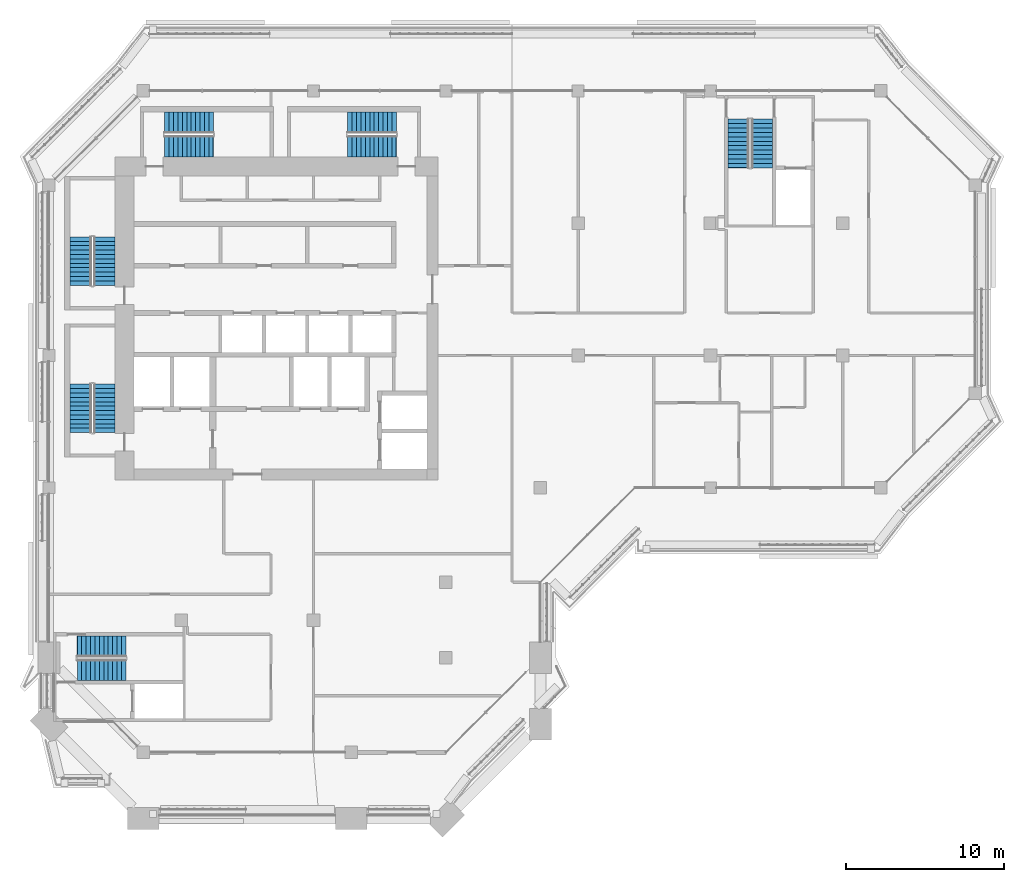
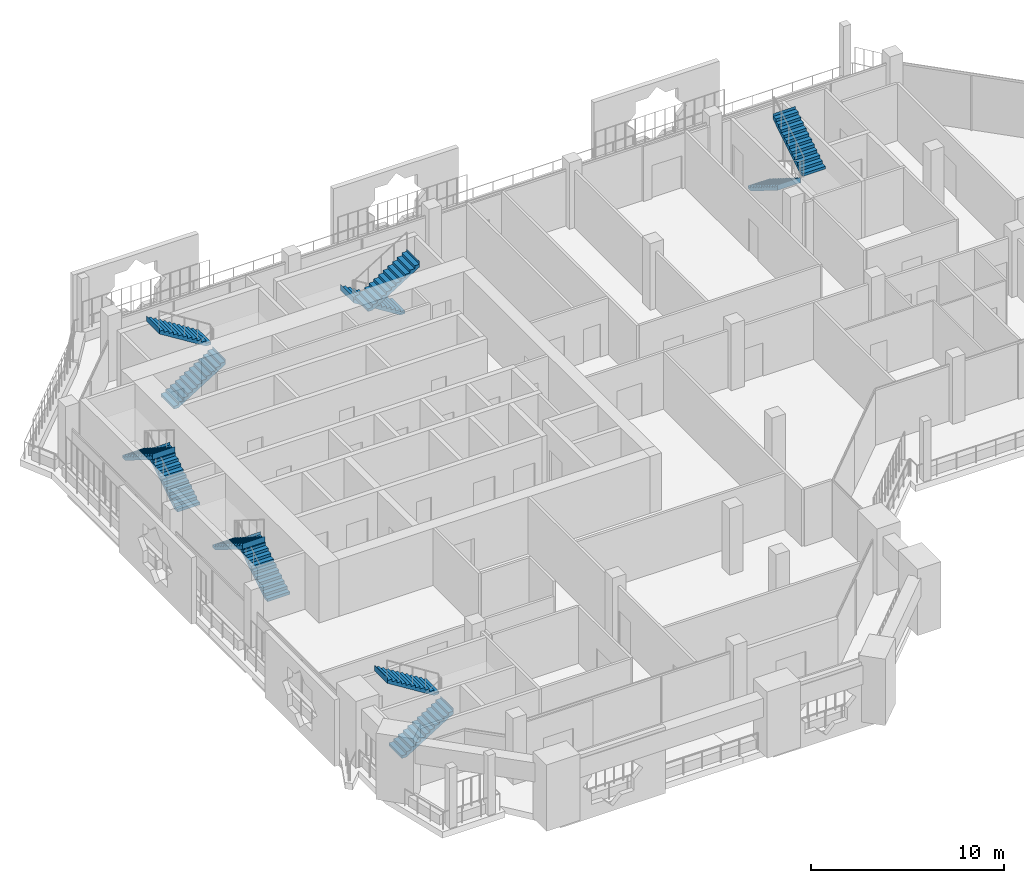
# One storey, part 14 of 22: 12 stair flights, 6 elements without a shape of their own.
"""IFC4 building model written with IfcOpenShell, lengths in metres."""

import ifcopenshell
import ifcopenshell.guid

model = None  # the IFC model being written
_history = None  # IfcOwnerHistory: only IFC2X3 demands one
_inside = {}  # id of a spatial element -> (the spatial element, [elements in it])
_under = {}  # id of a project, library or spatial element -> (it, [spatial elements below it])
_declared = {}  # id of a project -> (the project, [libraries it declares])
_typed = {}  # id of a type object -> (the type object, [elements of that type])
_made_of = {}  # id of a material, layer set ... -> (it, [elements and type objects made of it])


def new_model(schema):
    """Start an empty IFC model of exactly this schema.

    Asked for "IFC4X3", IfcOpenShell would pick the latest addendum, in which some entities
    have other attributes; the version numbers below select the first issue.
    IFC2X3 requires an IfcOwnerHistory on every rooted entity: one is made here for all.
    """
    global model, _history
    if schema == "IFC4X3":
        model = ifcopenshell.file(schema_version=(4, 3, 0, 0))
    else:
        model = ifcopenshell.file(schema=schema)
    _inside.clear()
    _under.clear()
    _declared.clear()
    _typed.clear()
    _made_of.clear()
    _history = None
    if model.schema == "IFC2X3":
        org = make("IfcOrganization", Name="unknown")
        user = make(
            "IfcPersonAndOrganization",
            ThePerson=make("IfcPerson", FamilyName="unknown"),
            TheOrganization=org,
        )
        app = make(
            "IfcApplication",
            ApplicationDeveloper=org,
            Version="unknown",
            ApplicationFullName="unknown",
            ApplicationIdentifier="unknown",
        )
        _history = make(
            "IfcOwnerHistory",
            OwningUser=user,
            OwningApplication=app,
            ChangeAction="ADDED",
            CreationDate=0,
        )
    return model


def make(cls, **values):
    """One entity of the class cls with the attributes given. An attribute that is None is left unset."""
    return model.create_entity(
        cls, **{name: value for name, value in values.items() if value is not None}
    )


def rooted(cls, **values):
    """An entity with a GlobalId (a new one), such as an element, a storey or a relation."""
    return make(cls, GlobalId=ifcopenshell.guid.new(), OwnerHistory=_history, **values)


def si_unit(unit_type, name, prefix=None):
    """IfcSIUnit, for example si_unit("LENGTHUNIT", "METRE", prefix="MILLI")."""
    return make("IfcSIUnit", UnitType=unit_type, Prefix=prefix, Name=name)


def assignment(units):
    """IfcUnitAssignment: the units of a project."""
    return None if units is None else make("IfcUnitAssignment", Units=units)


def point(xyz):
    """IfcCartesianPoint."""
    return None if xyz is None else make("IfcCartesianPoint", Coordinates=xyz)


def direction(xyz):
    """IfcDirection."""
    return None if xyz is None else make("IfcDirection", DirectionRatios=xyz)


def frame(location, z_axis=None, x_axis=None):
    """IfcAxis2Placement3D, a coordinate frame: its origin and axes. An axis left out is left unset."""
    return make(
        "IfcAxis2Placement3D",
        Location=point(location),
        Axis=direction(z_axis),
        RefDirection=direction(x_axis),
    )


def origin():
    """The frame at (0, 0, 0) with its axes left unset."""
    return frame((0.0, 0.0, 0.0))


def place(relative_to, where):
    """IfcLocalPlacement: puts the frame where relative to a parent placement (None: the world)."""
    return make(
        "IfcLocalPlacement", PlacementRelTo=relative_to, RelativePlacement=where
    )


def context(
    kind, dimensions, precision=None, world=None, true_north=None, identifier=None
):
    """IfcGeometricRepresentationContext, for example the 3D "Model" context."""
    return make(
        "IfcGeometricRepresentationContext",
        ContextIdentifier=identifier,
        ContextType=kind,
        CoordinateSpaceDimension=dimensions,
        Precision=precision,
        WorldCoordinateSystem=world,
        TrueNorth=true_north,
    )


def subcontext(parent, identifier, kind, view, scale=None):
    """IfcGeometricRepresentationSubContext, for example "Body" below "Model"."""
    return make(
        "IfcGeometricRepresentationSubContext",
        ContextIdentifier=identifier,
        ContextType=kind,
        ParentContext=parent,
        TargetScale=scale,
        TargetView=view,
    )


def project(units=None, contexts=None):
    """IfcProject with its units and contexts."""
    return rooted(
        "IfcProject",
        Name="project",
        RepresentationContexts=contexts,
        UnitsInContext=assignment(units),
    )


def spatial(cls, under=None, at=None, **own):
    """A site, building, storey or space (cls), placed at a placement, below another one or the project."""
    s = rooted(cls, ObjectPlacement=at, **own)
    if under is not None:
        _under.setdefault(under.id(), (under, []))[1].append(s)
    return s


def polyline(points):
    """IfcPolyline through the points."""
    return make("IfcPolyline", Points=[point(p) for p in points])


def outline(outer, holes=None, kind="AREA"):
    """IfcArbitraryClosedProfileDef: a profile drawn as a closed curve; with holes, ...WithVoids."""
    if holes is None:
        return make("IfcArbitraryClosedProfileDef", ProfileType=kind, OuterCurve=outer)
    return make(
        "IfcArbitraryProfileDefWithVoids",
        ProfileType=kind,
        OuterCurve=outer,
        InnerCurves=holes,
    )


def extrude(swept, where, along, depth):
    """IfcExtrudedAreaSolid: the profile swept, set in the frame where, extruded along a direction by depth."""
    return make(
        "IfcExtrudedAreaSolid",
        SweptArea=swept,
        Position=where,
        ExtrudedDirection=direction(along),
        Depth=depth,
    )


def shape(context_of_items, identifier, shape_type, items):
    """IfcShapeRepresentation: the items that make up one representation, for example the "Body"."""
    return make(
        "IfcShapeRepresentation",
        ContextOfItems=context_of_items,
        RepresentationIdentifier=identifier,
        RepresentationType=shape_type,
        Items=items,
    )


def material(Name=None, Category=None):
    """IfcMaterial."""
    return make("IfcMaterial", Name=Name, Category=Category)


def made_of(thing, what):
    """Note that an element or type object is made of a material, layer set ...; save() writes the relation."""
    if what is not None:
        _made_of.setdefault(what.id(), (what, []))[1].append(thing)
    return thing


def type_object(cls, material=None, **own):
    """A type object (cls), such as IfcWallType, which elements share."""
    return made_of(rooted(cls, **own), material)


def element(
    cls,
    number,
    at=None,
    inside=None,
    cuts=None,
    type_object=None,
    material=None,
    context=None,
    identifier="Body",
    shape_type=None,
    held_by="IfcProductDefinitionShape",
    body=None,
    shapes=None,
    **own,
):
    """One element of the class cls, such as IfcWall. Its Tag is "e" and its number.

    at: its placement. inside: the storey or other place that contains it. cuts: it is an
    opening in that element (IfcRelVoidsElement). A single representation is given by context,
    identifier, shape_type and body (its items); several are given by shapes. held_by: the class
    of the entity that holds the representations. save() writes the other relations.
    """
    e = rooted(cls, Tag="e%d" % number, ObjectPlacement=at, **own)
    if body is not None:
        shapes = [shape(context, identifier, shape_type, body)]
    if shapes is not None:
        e.Representation = make(held_by, Representations=shapes)
    if inside is not None:
        _inside.setdefault(inside.id(), (inside, []))[1].append(e)
    if cuts is not None:
        rooted(
            "IfcRelVoidsElement", RelatingBuildingElement=cuts, RelatedOpeningElement=e
        )
    if type_object is not None:
        _typed.setdefault(type_object.id(), (type_object, []))[1].append(e)
    return made_of(e, material)


def aggregate(whole, parts):
    """IfcRelAggregates: a whole, such as a stair, and the parts it consists of."""
    return rooted("IfcRelAggregates", RelatingObject=whole, RelatedObjects=parts)


def save(model, path):
    """Write the relations noted so far, then the file.

    IfcRelAggregates (storeys below a building ...), IfcRelContainedInSpatialStructure (elements
    in a storey), IfcRelDefinesByType, IfcRelAssociatesMaterial and IfcRelDeclares: one each for
    every whole, place, type object, material and project.
    """
    for whole, parts in _under.values():
        aggregate(whole, parts)
    for where, things in _inside.values():
        rooted(
            "IfcRelContainedInSpatialStructure",
            RelatedElements=things,
            RelatingStructure=where,
        )
    for kind, things in _typed.values():
        rooted("IfcRelDefinesByType", RelatedObjects=things, RelatingType=kind)
    for what, things in _made_of.values():
        rooted("IfcRelAssociatesMaterial", RelatedObjects=things, RelatingMaterial=what)
    for by, libraries in _declared.values():
        rooted("IfcRelDeclares", RelatingContext=by, RelatedDefinitions=libraries)
    model.write(path)


model = new_model("IFC4")

# Units and contexts
model_context = context("Model", 3, precision=1e-05, world=origin(), true_north=direction((0.0, 1.0)))
body_context = subcontext(model_context, "Body", "Model", "MODEL_VIEW")
ifc_project = project(units=[si_unit("LENGTHUNIT", "METRE"), si_unit("AREAUNIT", "SQUARE_METRE"), si_unit("VOLUMEUNIT", "CUBIC_METRE"), si_unit("PLANEANGLEUNIT", "RADIAN"), si_unit("MASSUNIT", "GRAM", prefix="KILO")], contexts=[model_context])

# Site, building, storey
site_placement = place(None, origin())
site = spatial("IfcSite", under=ifc_project, at=site_placement, CompositionType="ELEMENT")
building_placement = place(site_placement, origin())
building = spatial("IfcBuilding", under=site, at=building_placement, Name="Kawkab Arch Medical Tower", CompositionType="ELEMENT")
storey_placement = place(building_placement, frame((0.0, 0.0, 294.39990234375)))
storey = spatial("IfcBuildingStorey", under=building, at=storey_placement, Name="L68", CompositionType="ELEMENT", Elevation=294.39990234375)

# Stair, stair flights
ifc_material_1 = material(Name="Concrete C40/50", Category="concrete")
stair_type = type_object("IfcStairType", Name="Exit stair 1350", PredefinedType="HALF_TURN_STAIR", material=ifc_material_1)
placement = place(storey_placement, origin())
stair_1 = element("IfcStair", 1, at=placement, inside=storey, type_object=stair_type, Name="L68 Exit stair ST1", PredefinedType="HALF_TURN_STAIR")
ifc_material_2 = material(Name="Concrete C40/50", Category="concrete")
stair_flight_type = type_object("IfcStairFlightType", Name="Exit stair flight 1350", PredefinedType="STRAIGHT", material=ifc_material_2)
stair_flight_1_placement = place(storey_placement, frame((3.52490234375, -12.35009765625, 0.0), z_axis=(0.0, 0.0, 1.0), x_axis=(0.0, 1.0, 0.0)))
stair_flight_1 = element("IfcStairFlight", 2, at=stair_flight_1_placement, type_object=stair_flight_type, Name="ST1 flight 1", NumberOfRisers=12, NumberOfTreads=11, PredefinedType="STRAIGHT", RiserHeight=0.175, TreadLength=0.28, context=body_context, shape_type="SweptSolid", body=[
    extrude(outline(polyline([(-0.0029296875, 0.0), (-0.0029296875, 0.175048828125), (0.0, 0.175048828125), (0.280029296875, 0.175048828125), (0.280029296875, 0.35009765625), (0.56005859375, 0.35009765625), (0.56005859375, 0.52490234375), (0.840087890625, 0.52490234375), (0.840087890625, 0.699951171875), (1.1201171875, 0.699951171875), (1.1201171875, 0.875), (1.39990234375, 0.875), (1.39990234375, 1.050048828125), (1.679931640625, 1.050048828125), (1.679931640625, 1.22509765625), (1.9599609375, 1.22509765625), (1.9599609375, 1.39990234375), (2.239990234375, 1.39990234375), (2.239990234375, 1.574951171875), (2.52001953125, 1.574951171875), (2.52001953125, 1.75), (2.800048828125, 1.75), (2.800048828125, 1.925048828125), (3.080078125, 1.925048828125), (3.080078125, 2.10009765625), (3.0830078125, 2.10009765625), (3.0830078125, 1.748291015625), (3.080078125, 1.748291015625), (0.28271484375, 0.0), (-0.0029296875, 0.0)])), frame((0.0, 0.675048828125, 0.0), z_axis=(0.0, -1.0, 0.0), x_axis=(1.0, 0.0, 0.0)), (0.0, 0.0, 1.0), 1.35009765625),
])
stair_flight_2_placement = place(storey_placement, frame((2.02490234375, -9.27001953125, 2.10009765625), z_axis=(0.0, 0.0, 1.0), x_axis=(0.0, -1.0, 0.0)))
stair_flight_2 = element("IfcStairFlight", 3, at=stair_flight_2_placement, type_object=stair_flight_type, Name="ST1 flight 2", NumberOfRisers=12, NumberOfTreads=11, PredefinedType="STRAIGHT", RiserHeight=0.175, TreadLength=0.28, context=body_context, shape_type="SweptSolid", body=[
    extrude(outline(polyline([(-0.0029296875, 0.0), (-0.0029296875, 0.175048828125), (0.0, 0.175048828125), (0.280029296875, 0.175048828125), (0.280029296875, 0.35009765625), (0.56005859375, 0.35009765625), (0.56005859375, 0.52490234375), (0.840087890625, 0.52490234375), (0.840087890625, 0.699951171875), (1.1201171875, 0.699951171875), (1.1201171875, 0.875), (1.39990234375, 0.875), (1.39990234375, 1.050048828125), (1.679931640625, 1.050048828125), (1.679931640625, 1.22509765625), (1.9599609375, 1.22509765625), (1.9599609375, 1.39990234375), (2.239990234375, 1.39990234375), (2.239990234375, 1.574951171875), (2.52001953125, 1.574951171875), (2.52001953125, 1.75), (2.800048828125, 1.75), (2.800048828125, 1.925048828125), (3.080078125, 1.925048828125), (3.080078125, 2.10009765625), (3.0830078125, 2.10009765625), (3.0830078125, 1.748291015625), (3.080078125, 1.748291015625), (0.28271484375, 0.0), (-0.0029296875, 0.0)])), frame((0.0, 0.675048828125, 0.0), z_axis=(0.0, -1.0, 0.0), x_axis=(1.0, 0.0, 0.0)), (0.0, 0.0, 1.0), 1.35009765625),
])
aggregate(stair_1, [stair_flight_1, stair_flight_2])

stair_2 = element("IfcStair", 4, at=placement, inside=storey, type_object=stair_type, Name="L68 Exit stair ST2", PredefinedType="HALF_TURN_STAIR")
stair_flight_3_placement = place(storey_placement, frame((3.52490234375, -21.699951171875, 0.0), z_axis=(0.0, 0.0, 1.0), x_axis=(0.0, 1.0, 0.0)))
stair_flight_3 = element("IfcStairFlight", 5, at=stair_flight_3_placement, type_object=stair_flight_type, Name="ST2 flight 1", NumberOfRisers=12, NumberOfTreads=11, PredefinedType="STRAIGHT", RiserHeight=0.175, TreadLength=0.28, context=body_context, shape_type="SweptSolid", body=[
    extrude(outline(polyline([(-0.0029296875, 0.0), (-0.0029296875, 0.175048828125), (0.0, 0.175048828125), (0.280029296875, 0.175048828125), (0.280029296875, 0.35009765625), (0.56005859375, 0.35009765625), (0.56005859375, 0.52490234375), (0.840087890625, 0.52490234375), (0.840087890625, 0.699951171875), (1.1201171875, 0.699951171875), (1.1201171875, 0.875), (1.39990234375, 0.875), (1.39990234375, 1.050048828125), (1.679931640625, 1.050048828125), (1.679931640625, 1.22509765625), (1.9599609375, 1.22509765625), (1.9599609375, 1.39990234375), (2.239990234375, 1.39990234375), (2.239990234375, 1.574951171875), (2.52001953125, 1.574951171875), (2.52001953125, 1.75), (2.800048828125, 1.75), (2.800048828125, 1.925048828125), (3.080078125, 1.925048828125), (3.080078125, 2.10009765625), (3.0830078125, 2.10009765625), (3.0830078125, 1.748291015625), (3.080078125, 1.748291015625), (0.28271484375, 0.0), (-0.0029296875, 0.0)])), frame((0.0, 0.675048828125, 0.0), z_axis=(0.0, -1.0, 0.0), x_axis=(1.0, 0.0, 0.0)), (0.0, 0.0, 1.0), 1.35009765625),
])
stair_flight_4_placement = place(storey_placement, frame((2.02490234375, -18.6201171875, 2.10009765625), z_axis=(0.0, 0.0, 1.0), x_axis=(0.0, -1.0, 0.0)))
stair_flight_4 = element("IfcStairFlight", 6, at=stair_flight_4_placement, type_object=stair_flight_type, Name="ST2 flight 2", NumberOfRisers=12, NumberOfTreads=11, PredefinedType="STRAIGHT", RiserHeight=0.175, TreadLength=0.28, context=body_context, shape_type="SweptSolid", body=[
    extrude(outline(polyline([(-0.0029296875, 0.0), (-0.0029296875, 0.175048828125), (0.0, 0.175048828125), (0.280029296875, 0.175048828125), (0.280029296875, 0.35009765625), (0.56005859375, 0.35009765625), (0.56005859375, 0.52490234375), (0.840087890625, 0.52490234375), (0.840087890625, 0.699951171875), (1.1201171875, 0.699951171875), (1.1201171875, 0.875), (1.39990234375, 0.875), (1.39990234375, 1.050048828125), (1.679931640625, 1.050048828125), (1.679931640625, 1.22509765625), (1.9599609375, 1.22509765625), (1.9599609375, 1.39990234375), (2.239990234375, 1.39990234375), (2.239990234375, 1.574951171875), (2.52001953125, 1.574951171875), (2.52001953125, 1.75), (2.800048828125, 1.75), (2.800048828125, 1.925048828125), (3.080078125, 1.925048828125), (3.080078125, 2.10009765625), (3.0830078125, 2.10009765625), (3.0830078125, 1.748291015625), (3.080078125, 1.748291015625), (0.28271484375, 0.0), (-0.0029296875, 0.0)])), frame((0.0, 0.675048828125, 0.0), z_axis=(0.0, -1.0, 0.0), x_axis=(1.0, 0.0, 0.0)), (0.0, 0.0, 1.0), 1.35009765625),
])
aggregate(stair_2, [stair_flight_3, stair_flight_4])

stair_3 = element("IfcStair", 7, at=placement, inside=storey, type_object=stair_type, Name="L68 Exit stair ST3", PredefinedType="HALF_TURN_STAIR")
stair_flight_5_placement = place(storey_placement, frame((7.35009765625, -3.52490234375, 0.0), z_axis=(0.0, 0.0, 1.0), x_axis=(1.0, 0.0, 0.0)))
stair_flight_5 = element("IfcStairFlight", 8, at=stair_flight_5_placement, type_object=stair_flight_type, Name="ST3 flight 1", NumberOfRisers=12, NumberOfTreads=11, PredefinedType="STRAIGHT", RiserHeight=0.175, TreadLength=0.28, context=body_context, shape_type="SweptSolid", body=[
    extrude(outline(polyline([(-0.0029296875, 0.0), (-0.0029296875, 0.175048828125), (0.0, 0.175048828125), (0.280029296875, 0.175048828125), (0.280029296875, 0.35009765625), (0.56005859375, 0.35009765625), (0.56005859375, 0.52490234375), (0.840087890625, 0.52490234375), (0.840087890625, 0.699951171875), (1.1201171875, 0.699951171875), (1.1201171875, 0.875), (1.39990234375, 0.875), (1.39990234375, 1.050048828125), (1.679931640625, 1.050048828125), (1.679931640625, 1.22509765625), (1.9599609375, 1.22509765625), (1.9599609375, 1.39990234375), (2.239990234375, 1.39990234375), (2.239990234375, 1.574951171875), (2.52001953125, 1.574951171875), (2.52001953125, 1.75), (2.800048828125, 1.75), (2.800048828125, 1.925048828125), (3.080078125, 1.925048828125), (3.080078125, 2.10009765625), (3.0830078125, 2.10009765625), (3.0830078125, 1.748291015625), (3.080078125, 1.748291015625), (0.28271484375, 0.0), (-0.0029296875, 0.0)])), frame((0.0, 0.675048828125, 0.0), z_axis=(0.0, -1.0, 0.0), x_axis=(1.0, 0.0, 0.0)), (0.0, 0.0, 1.0), 1.35009765625),
])
stair_flight_6_placement = place(storey_placement, frame((10.429931640625, -2.02490234375, 2.10009765625), z_axis=(0.0, 0.0, 1.0), x_axis=(-1.0, 0.0, 0.0)))
stair_flight_6 = element("IfcStairFlight", 9, at=stair_flight_6_placement, type_object=stair_flight_type, Name="ST3 flight 2", NumberOfRisers=12, NumberOfTreads=11, PredefinedType="STRAIGHT", RiserHeight=0.175, TreadLength=0.28, context=body_context, shape_type="SweptSolid", body=[
    extrude(outline(polyline([(-0.0029296875, 0.0), (-0.0029296875, 0.175048828125), (0.0, 0.175048828125), (0.280029296875, 0.175048828125), (0.280029296875, 0.35009765625), (0.56005859375, 0.35009765625), (0.56005859375, 0.52490234375), (0.840087890625, 0.52490234375), (0.840087890625, 0.699951171875), (1.1201171875, 0.699951171875), (1.1201171875, 0.875), (1.39990234375, 0.875), (1.39990234375, 1.050048828125), (1.679931640625, 1.050048828125), (1.679931640625, 1.22509765625), (1.9599609375, 1.22509765625), (1.9599609375, 1.39990234375), (2.239990234375, 1.39990234375), (2.239990234375, 1.574951171875), (2.52001953125, 1.574951171875), (2.52001953125, 1.75), (2.800048828125, 1.75), (2.800048828125, 1.925048828125), (3.080078125, 1.925048828125), (3.080078125, 2.10009765625), (3.0830078125, 2.10009765625), (3.0830078125, 1.748291015625), (3.080078125, 1.748291015625), (0.28271484375, 0.0), (-0.0029296875, 0.0)])), frame((0.0, 0.675048828125, 0.0), z_axis=(0.0, -1.0, 0.0), x_axis=(1.0, 0.0, 0.0)), (0.0, 0.0, 1.0), 1.35009765625),
])
aggregate(stair_3, [stair_flight_5, stair_flight_6])

stair_4 = element("IfcStair", 10, at=placement, inside=storey, type_object=stair_type, Name="L68 Exit stair ST4", PredefinedType="HALF_TURN_STAIR")
stair_flight_7_placement = place(storey_placement, frame((22.050048828125, -2.02490234375, 0.0), z_axis=(0.0, 0.0, 1.0), x_axis=(-1.0, 0.0, 0.0)))
stair_flight_7 = element("IfcStairFlight", 11, at=stair_flight_7_placement, type_object=stair_flight_type, Name="ST4 flight 1", NumberOfRisers=12, NumberOfTreads=11, PredefinedType="STRAIGHT", RiserHeight=0.175, TreadLength=0.28, context=body_context, shape_type="SweptSolid", body=[
    extrude(outline(polyline([(-0.0029296875, 0.0), (-0.0029296875, 0.175048828125), (0.0, 0.175048828125), (0.280029296875, 0.175048828125), (0.280029296875, 0.35009765625), (0.56005859375, 0.35009765625), (0.56005859375, 0.52490234375), (0.840087890625, 0.52490234375), (0.840087890625, 0.699951171875), (1.1201171875, 0.699951171875), (1.1201171875, 0.875), (1.39990234375, 0.875), (1.39990234375, 1.050048828125), (1.679931640625, 1.050048828125), (1.679931640625, 1.22509765625), (1.9599609375, 1.22509765625), (1.9599609375, 1.39990234375), (2.239990234375, 1.39990234375), (2.239990234375, 1.574951171875), (2.52001953125, 1.574951171875), (2.52001953125, 1.75), (2.800048828125, 1.75), (2.800048828125, 1.925048828125), (3.080078125, 1.925048828125), (3.080078125, 2.10009765625), (3.0830078125, 2.10009765625), (3.0830078125, 1.748291015625), (3.080078125, 1.748291015625), (0.28271484375, 0.0), (-0.0029296875, 0.0)])), frame((0.0, 0.675048828125, 0.0), z_axis=(0.0, -1.0, 0.0), x_axis=(1.0, 0.0, 0.0)), (0.0, 0.0, 1.0), 1.35009765625),
])
stair_flight_8_placement = place(storey_placement, frame((18.969970703125, -3.52490234375, 2.10009765625), z_axis=(0.0, 0.0, 1.0), x_axis=(1.0, 0.0, 0.0)))
stair_flight_8 = element("IfcStairFlight", 12, at=stair_flight_8_placement, type_object=stair_flight_type, Name="ST4 flight 2", NumberOfRisers=12, NumberOfTreads=11, PredefinedType="STRAIGHT", RiserHeight=0.175, TreadLength=0.28, context=body_context, shape_type="SweptSolid", body=[
    extrude(outline(polyline([(-0.0029296875, 0.0), (-0.0029296875, 0.175048828125), (0.0, 0.175048828125), (0.280029296875, 0.175048828125), (0.280029296875, 0.35009765625), (0.56005859375, 0.35009765625), (0.56005859375, 0.52490234375), (0.840087890625, 0.52490234375), (0.840087890625, 0.699951171875), (1.1201171875, 0.699951171875), (1.1201171875, 0.875), (1.39990234375, 0.875), (1.39990234375, 1.050048828125), (1.679931640625, 1.050048828125), (1.679931640625, 1.22509765625), (1.9599609375, 1.22509765625), (1.9599609375, 1.39990234375), (2.239990234375, 1.39990234375), (2.239990234375, 1.574951171875), (2.52001953125, 1.574951171875), (2.52001953125, 1.75), (2.800048828125, 1.75), (2.800048828125, 1.925048828125), (3.080078125, 1.925048828125), (3.080078125, 2.10009765625), (3.0830078125, 2.10009765625), (3.0830078125, 1.748291015625), (3.080078125, 1.748291015625), (0.28271484375, 0.0), (-0.0029296875, 0.0)])), frame((0.0, 0.675048828125, 0.0), z_axis=(0.0, -1.0, 0.0), x_axis=(1.0, 0.0, 0.0)), (0.0, 0.0, 1.0), 1.35009765625),
])
aggregate(stair_4, [stair_flight_7, stair_flight_8])

stair_5 = element("IfcStair", 13, at=placement, inside=storey, type_object=stair_type, Name="L68 Exit stair ST5", PredefinedType="HALF_TURN_STAIR")
stair_flight_9_placement = place(storey_placement, frame((43.77490234375, -1.800048828125, 0.0), z_axis=(0.0, 0.0, 1.0), x_axis=(0.0, -1.0, 0.0)))
stair_flight_9 = element("IfcStairFlight", 14, at=stair_flight_9_placement, type_object=stair_flight_type, Name="ST5 flight 1", NumberOfRisers=12, NumberOfTreads=11, PredefinedType="STRAIGHT", RiserHeight=0.175, TreadLength=0.28, context=body_context, shape_type="SweptSolid", body=[
    extrude(outline(polyline([(-0.0029296875, 0.0), (-0.0029296875, 0.175048828125), (0.0, 0.175048828125), (0.280029296875, 0.175048828125), (0.280029296875, 0.35009765625), (0.56005859375, 0.35009765625), (0.56005859375, 0.52490234375), (0.840087890625, 0.52490234375), (0.840087890625, 0.699951171875), (1.1201171875, 0.699951171875), (1.1201171875, 0.875), (1.39990234375, 0.875), (1.39990234375, 1.050048828125), (1.679931640625, 1.050048828125), (1.679931640625, 1.22509765625), (1.9599609375, 1.22509765625), (1.9599609375, 1.39990234375), (2.239990234375, 1.39990234375), (2.239990234375, 1.574951171875), (2.52001953125, 1.574951171875), (2.52001953125, 1.75), (2.800048828125, 1.75), (2.800048828125, 1.925048828125), (3.080078125, 1.925048828125), (3.080078125, 2.10009765625), (3.0830078125, 2.10009765625), (3.0830078125, 1.748291015625), (3.080078125, 1.748291015625), (0.28271484375, 0.0), (-0.0029296875, 0.0)])), frame((0.0, 0.675048828125, 0.0), z_axis=(0.0, -1.0, 0.0), x_axis=(1.0, 0.0, 0.0)), (0.0, 0.0, 1.0), 1.35009765625),
])
stair_flight_10_placement = place(storey_placement, frame((45.27490234375, -4.8798828125, 2.10009765625), z_axis=(0.0, 0.0, 1.0), x_axis=(0.0, 1.0, 0.0)))
stair_flight_10 = element("IfcStairFlight", 15, at=stair_flight_10_placement, type_object=stair_flight_type, Name="ST5 flight 2", NumberOfRisers=12, NumberOfTreads=11, PredefinedType="STRAIGHT", RiserHeight=0.175, TreadLength=0.28, context=body_context, shape_type="SweptSolid", body=[
    extrude(outline(polyline([(-0.0029296875, 0.0), (-0.0029296875, 0.175048828125), (0.0, 0.175048828125), (0.280029296875, 0.175048828125), (0.280029296875, 0.35009765625), (0.56005859375, 0.35009765625), (0.56005859375, 0.52490234375), (0.840087890625, 0.52490234375), (0.840087890625, 0.699951171875), (1.1201171875, 0.699951171875), (1.1201171875, 0.875), (1.39990234375, 0.875), (1.39990234375, 1.050048828125), (1.679931640625, 1.050048828125), (1.679931640625, 1.22509765625), (1.9599609375, 1.22509765625), (1.9599609375, 1.39990234375), (2.239990234375, 1.39990234375), (2.239990234375, 1.574951171875), (2.52001953125, 1.574951171875), (2.52001953125, 1.75), (2.800048828125, 1.75), (2.800048828125, 1.925048828125), (3.080078125, 1.925048828125), (3.080078125, 2.10009765625), (3.0830078125, 2.10009765625), (3.0830078125, 1.748291015625), (3.080078125, 1.748291015625), (0.28271484375, 0.0), (-0.0029296875, 0.0)])), frame((0.0, 0.675048828125, 0.0), z_axis=(0.0, -1.0, 0.0), x_axis=(1.0, 0.0, 0.0)), (0.0, 0.0, 1.0), 1.35009765625),
])
aggregate(stair_5, [stair_flight_9, stair_flight_10])

stair_6 = element("IfcStair", 16, at=placement, inside=storey, type_object=stair_type, Name="L68 Exit stair ST6", PredefinedType="HALF_TURN_STAIR")
stair_flight_11_placement = place(storey_placement, frame((1.800048828125, -36.77490234375, 0.0), z_axis=(0.0, 0.0, 1.0), x_axis=(1.0, 0.0, 0.0)))
stair_flight_11 = element("IfcStairFlight", 17, at=stair_flight_11_placement, type_object=stair_flight_type, Name="ST6 flight 1", NumberOfRisers=12, NumberOfTreads=11, PredefinedType="STRAIGHT", RiserHeight=0.175, TreadLength=0.28, context=body_context, shape_type="SweptSolid", body=[
    extrude(outline(polyline([(-0.0029296875, 0.0), (-0.0029296875, 0.175048828125), (0.0, 0.175048828125), (0.280029296875, 0.175048828125), (0.280029296875, 0.35009765625), (0.56005859375, 0.35009765625), (0.56005859375, 0.52490234375), (0.840087890625, 0.52490234375), (0.840087890625, 0.699951171875), (1.1201171875, 0.699951171875), (1.1201171875, 0.875), (1.39990234375, 0.875), (1.39990234375, 1.050048828125), (1.679931640625, 1.050048828125), (1.679931640625, 1.22509765625), (1.9599609375, 1.22509765625), (1.9599609375, 1.39990234375), (2.239990234375, 1.39990234375), (2.239990234375, 1.574951171875), (2.52001953125, 1.574951171875), (2.52001953125, 1.75), (2.800048828125, 1.75), (2.800048828125, 1.925048828125), (3.080078125, 1.925048828125), (3.080078125, 2.10009765625), (3.0830078125, 2.10009765625), (3.0830078125, 1.748291015625), (3.080078125, 1.748291015625), (0.28271484375, 0.0), (-0.0029296875, 0.0)])), frame((0.0, 0.675048828125, 0.0), z_axis=(0.0, -1.0, 0.0), x_axis=(1.0, 0.0, 0.0)), (0.0, 0.0, 1.0), 1.35009765625),
])
stair_flight_12_placement = place(storey_placement, frame((4.8798828125, -35.27490234375, 2.10009765625), z_axis=(0.0, 0.0, 1.0), x_axis=(-1.0, 0.0, 0.0)))
stair_flight_12 = element("IfcStairFlight", 18, at=stair_flight_12_placement, type_object=stair_flight_type, Name="ST6 flight 2", NumberOfRisers=12, NumberOfTreads=11, PredefinedType="STRAIGHT", RiserHeight=0.175, TreadLength=0.28, context=body_context, shape_type="SweptSolid", body=[
    extrude(outline(polyline([(-0.0029296875, 0.0), (-0.0029296875, 0.175048828125), (0.0, 0.175048828125), (0.280029296875, 0.175048828125), (0.280029296875, 0.35009765625), (0.56005859375, 0.35009765625), (0.56005859375, 0.52490234375), (0.840087890625, 0.52490234375), (0.840087890625, 0.699951171875), (1.1201171875, 0.699951171875), (1.1201171875, 0.875), (1.39990234375, 0.875), (1.39990234375, 1.050048828125), (1.679931640625, 1.050048828125), (1.679931640625, 1.22509765625), (1.9599609375, 1.22509765625), (1.9599609375, 1.39990234375), (2.239990234375, 1.39990234375), (2.239990234375, 1.574951171875), (2.52001953125, 1.574951171875), (2.52001953125, 1.75), (2.800048828125, 1.75), (2.800048828125, 1.925048828125), (3.080078125, 1.925048828125), (3.080078125, 2.10009765625), (3.0830078125, 2.10009765625), (3.0830078125, 1.748291015625), (3.080078125, 1.748291015625), (0.28271484375, 0.0), (-0.0029296875, 0.0)])), frame((0.0, 0.675048828125, 0.0), z_axis=(0.0, -1.0, 0.0), x_axis=(1.0, 0.0, 0.0)), (0.0, 0.0, 1.0), 1.35009765625),
])
aggregate(stair_6, [stair_flight_11, stair_flight_12])

save(model, "model.ifc")
